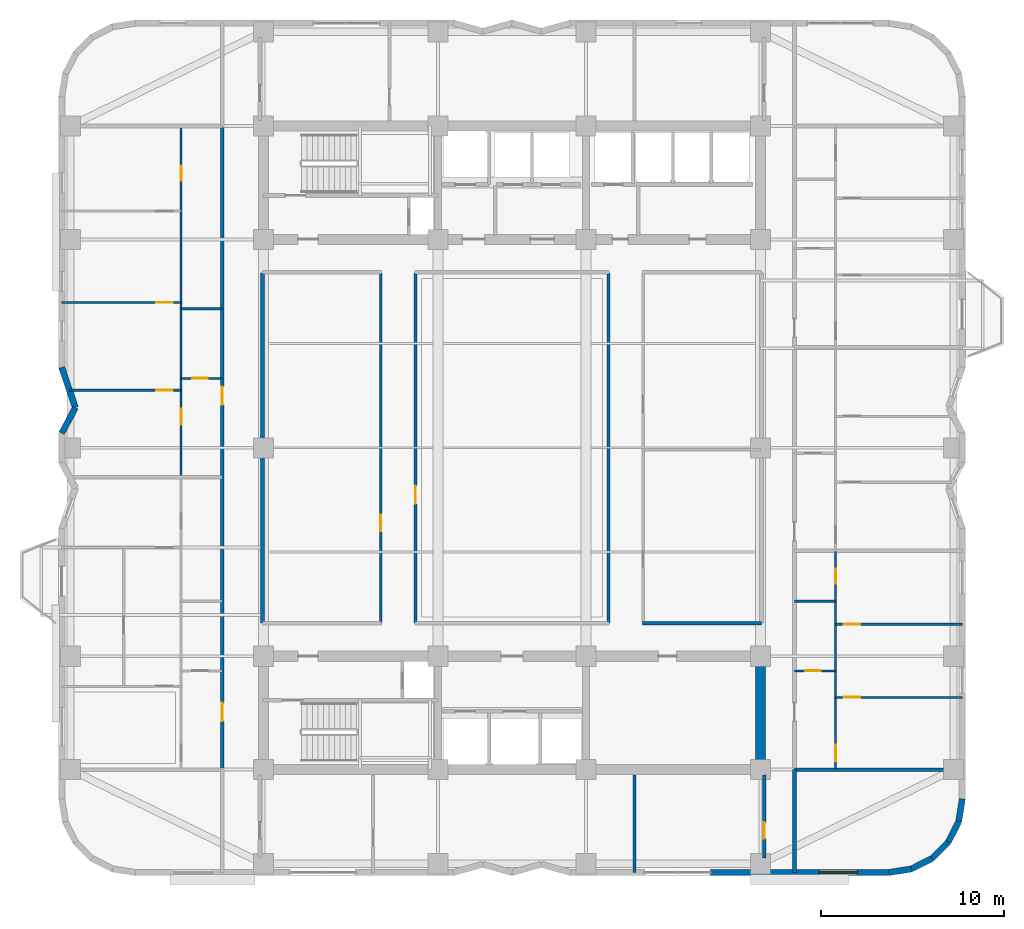
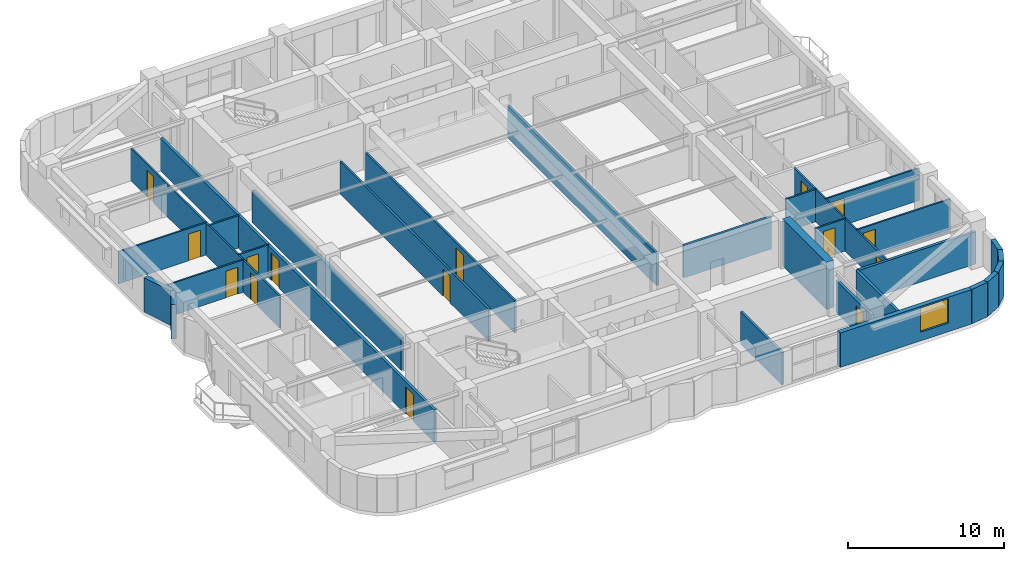
# One storey, part 9 of 15: 29 walls, 15 doors, 1 window, 16 openings.
"""IFC4 building model written with IfcOpenShell, lengths in metres."""

from ifc_helpers import new_model, si_unit, direction, frame, frame_2d, origin, place, context, subcontext, project, spatial, rectangle, extrude, material, layer, layer_set, type_object, element, fill, save


model = new_model("IFC4")

# Units and contexts
model_context = context("Model", 3, precision=1e-05, world=origin(), true_north=direction((0.0, 1.0)))
body_context = subcontext(model_context, "Body", "Model", "MODEL_VIEW")
ifc_project = project(units=[si_unit("LENGTHUNIT", "METRE"), si_unit("AREAUNIT", "SQUARE_METRE"), si_unit("VOLUMEUNIT", "CUBIC_METRE"), si_unit("PLANEANGLEUNIT", "RADIAN"), si_unit("MASSUNIT", "GRAM", prefix="KILO")], contexts=[model_context])

# Site, building, storey
site_placement = place(None, origin())
site = spatial("IfcSite", under=ifc_project, at=site_placement, CompositionType="ELEMENT")
building_placement = place(site_placement, origin())
building = spatial("IfcBuilding", under=site, at=building_placement, Name="Svetorya Sky Lyceum", CompositionType="ELEMENT")
storey_placement = place(building_placement, frame((0.0, 0.0, 117.89990234375)))
storey = spatial("IfcBuildingStorey", under=building, at=storey_placement, Name="L29", CompositionType="ELEMENT", Elevation=117.89990234375)

# Wall
ifc_material_1 = material(Name="Concrete C60/75", Category="concrete")
ifc_layer_1 = layer(ifc_material_1, 0.550048828125)
ifc_layer_set_1 = layer_set([ifc_layer_1], Name="Concrete C60/75")
wall_type_1 = type_object("IfcWallType", Name="WL-CORE-550", PredefinedType="SHEAR", material=ifc_layer_set_1)
wall_1_placement = place(storey_placement, frame((52.800048828125, 10.875, 0.0), z_axis=(0.0, 0.0, 1.0), x_axis=(0.0, 1.0, 0.0)))
element("IfcWall", 1, at=wall_1_placement, inside=storey, type_object=wall_type_1, Name="L29 SC East Core Shear Wall", PredefinedType="SHEAR", context=body_context, shape_type="SweptSolid", body=[
    extrude(rectangle(XDim=5.64990234375, YDim=0.550048828125, at=frame_2d((2.824951171875, 0.0))), origin(), (0.0, 0.0, 1.0), 3.7001953125),
])

# Wall, opening, window
ifc_material_2 = material(Name="Putilovo limestone rainscreen on autoclaved cellular masonry", Category="masonry")
ifc_layer_2 = layer(ifc_material_2, 0.340087890625)
ifc_layer_set_2 = layer_set([ifc_layer_2], Name="Putilovo limestone rainscreen on autoclaved cellular masonry")
wall_type_2 = type_object("IfcWallType", Name="WL-EXT-340", PredefinedType="SOLIDWALL", material=ifc_layer_set_2)
wall_2_placement = place(storey_placement, frame((50.050048828125, 4.969970703125, 0.0), z_axis=(0.0, 0.0, 1.0), x_axis=(1.0, 0.0, 0.0)))
wall_2 = element("IfcWall", 2, at=wall_2_placement, inside=storey, type_object=wall_type_2, Name="L29 Limestone Exterior Wall 11B", PredefinedType="SOLIDWALL", context=body_context, shape_type="SweptSolid", body=[
    extrude(rectangle(XDim=9.75, YDim=0.340087890625, at=frame_2d((4.875, 0.0))), origin(), (0.0, 0.0, 1.0), 2.7001953125),
])
opening_1_placement = place(wall_2_placement, frame((5.9375, 0.0, 0.679931640625)))
opening_1 = element("IfcOpeningElement", 3, at=opening_1_placement, cuts=wall_2, Name="Opening W-R0", PredefinedType="OPENING", context=body_context, shape_type="SweptSolid", body=[
    extrude(rectangle(XDim=2.10009765625, YDim=1.89990234375, at=frame_2d((1.050048828125, 0.949951171875))), frame((0.0, 0.179931640625, 0.0), z_axis=(0.0, -1.0, 0.0), x_axis=(1.0, 0.0, 0.0)), (0.0, 0.0, 1.0), 0.360107421875),
])
ifc_material_3 = material(Name="Thermally broken aluminium frame with triple low-E glazing", Category="aluminium")
window_type = type_object("IfcWindowType", Name="WN-RES-210", PartitioningType="TRIPLE_PANEL_VERTICAL", PredefinedType="WINDOW", material=ifc_material_3)
window_placement = place(opening_1_placement, origin())
window = element("IfcWindow", 4, at=window_placement, inside=storey, type_object=window_type, Name="L29 Facade Window W-R0.11B.1", OverallHeight=1.89990234375, OverallWidth=2.10009765625, PartitioningType="SINGLE_PANEL", PredefinedType="WINDOW", context=body_context, shape_type="SweptSolid", body=[
    extrude(rectangle(XDim=2.10009765625, YDim=1.89990234375, at=frame_2d((1.050048828125, 0.949951171875))), frame((0.0, 0.030029296875, 0.0), z_axis=(0.0, -1.0, 0.0), x_axis=(1.0, 0.0, 0.0)), (0.0, 0.0, 1.0), 0.06005859375),
])
fill(opening_1, window)

# Walls
wall_3_placement = place(storey_placement, frame((59.800048828125, 4.969970703125, 0.0), z_axis=(0.0, 0.0, 1.0), x_axis=(0.987685918112, 0.15644975923, 0.0)))
element("IfcWall", 5, at=wall_3_placement, inside=storey, type_object=wall_type_2, Name="L29 Limestone Exterior Wall 12M", PredefinedType="SOLIDWALL", context=body_context, shape_type="SweptSolid", body=[
    extrude(rectangle(XDim=1.260986328125, YDim=0.340087890625, at=frame_2d((0.63037109375, 0.0))), origin(), (0.0, 0.0, 1.0), 2.7001953125),
])
for number, where, z_axis, x_axis, name in (
    (6, (61.04541015625, 5.167236328125, 0.0), (0.0, 0.0, 1.0), (0.890953769915, 0.454094020963, 0.0), "L29 Limestone Exterior Wall 13M"),
    (7, (62.168701171875, 5.73974609375, 0.0), (0.0, 0.0, 1.0), (0.707203598708, 0.707009950407, 0.0), "L29 Limestone Exterior Wall 14M"),
):
    element("IfcWall", number, at=place(storey_placement, frame(where, z_axis=z_axis, x_axis=x_axis)), inside=storey, type_object=wall_type_2, Name=name, PredefinedType="SOLIDWALL", context=body_context, shape_type="SweptSolid", body=[
        extrude(rectangle(XDim=1.2607421875, YDim=0.340087890625, at=frame_2d((0.63037109375, 0.0))), origin(), (0.0, 0.0, 1.0), 2.7001953125),
    ])
for number, where, z_axis, x_axis, name in (
    (8, (63.060302734375, 6.631103515625, 0.0), (0.0, 0.0, 1.0), (0.454015689056, 0.890993689142, 0.0), "L29 Limestone Exterior Wall 15M"),
    (9, (63.6328125, 7.754638671875, 0.0), (0.0, 0.0, 1.0), (0.15644975923, 0.987685918112, 0.0), "L29 Limestone Exterior Wall 16M"),
):
    element("IfcWall", number, at=place(storey_placement, frame(where, z_axis=z_axis, x_axis=x_axis)), inside=storey, type_object=wall_type_2, Name=name, PredefinedType="SOLIDWALL", context=body_context, shape_type="SweptSolid", body=[
        extrude(rectangle(XDim=1.260986328125, YDim=0.340087890625, at=frame_2d((0.63037109375, 0.0))), origin(), (0.0, 0.0, 1.0), 2.7001953125),
    ])
wall_4_placement = place(storey_placement, frame((14.570068359375, 32.60009765625, 0.0), z_axis=(0.0, 0.0, 1.0), x_axis=(0.32264826586, -0.946518936175, 0.0)))
element("IfcWall", 10, at=wall_4_placement, inside=storey, type_object=wall_type_2, Name="L29 Limestone Exterior Wall 41M", PredefinedType="SOLIDWALL", context=body_context, shape_type="SweptSolid", body=[
    extrude(rectangle(XDim=2.324462890625, YDim=0.340087890625, at=frame_2d((1.162109375, 0.0))), origin(), (0.0, 0.0, 1.0), 2.7001953125),
])
wall_5_placement = place(storey_placement, frame((15.320068359375, 30.39990234375, 0.0), z_axis=(0.0, 0.0, 1.0), x_axis=(-0.472247007964, -0.881466257703, 0.0)))
element("IfcWall", 11, at=wall_5_placement, inside=storey, type_object=wall_type_2, Name="L29 Limestone Exterior Wall 42M", PredefinedType="SOLIDWALL", context=body_context, shape_type="SweptSolid", body=[
    extrude(rectangle(XDim=1.588134765625, YDim=0.340087890625, at=frame_2d((0.7939453125, 0.0))), origin(), (0.0, 0.0, 1.0), 2.7001953125),
])

# Wall, opening, door
ifc_material_4 = material(Name="Twin-stud galvanized framing with double fireboard", Category="gypsum")
ifc_layer_3 = layer(ifc_material_4, 0.1201171875)
ifc_layer_set_3 = layer_set([ifc_layer_3], Name="Twin-stud galvanized framing with double fireboard")
wall_type_3 = type_object("IfcWallType", Name="WL-PART-120", PredefinedType="PARTITIONING", material=ifc_layer_set_3)
wall_6_placement = place(storey_placement, frame((21.10009765625, 32.0, 0.0), z_axis=(0.0, 0.0, 1.0), x_axis=(1.0, 0.0, 0.0)))
wall_6 = element("IfcWall", 12, at=wall_6_placement, inside=storey, type_object=wall_type_3, Name="L29 Interior Partition W2-WH1", PredefinedType="PARTITIONING", context=body_context, shape_type="SweptSolid", body=[
    extrude(rectangle(XDim=2.25, YDim=0.1201171875, at=frame_2d((1.125, 0.0))), origin(), (0.0, 0.0, 1.0), 2.530029296875),
])
opening_2_placement = place(wall_6_placement, frame((0.60009765625, 0.0, 0.0)))
opening_2 = element("IfcOpeningElement", 13, at=opening_2_placement, cuts=wall_6, Name="Opening D-BT1", PredefinedType="OPENING", context=body_context, shape_type="SweptSolid", body=[
    extrude(rectangle(XDim=0.85009765625, YDim=2.10009765625, at=frame_2d((0.425048828125, 1.050048828125))), frame((0.0, 0.070068359375, 0.0), z_axis=(0.0, -1.0, 0.0), x_axis=(1.0, 0.0, 0.0)), (0.0, 0.0, 1.0), 0.14013671875),
])
ifc_material_5 = material(Name="Moisture-resistant laminate bathroom door")
door_type_1 = type_object("IfcDoorType", Name="DR-WET-850", OperationType="SINGLE_SWING_LEFT", PredefinedType="DOOR", material=ifc_material_5)
door_1_placement = place(opening_2_placement, origin())
door_1 = element("IfcDoor", 14, at=door_1_placement, inside=storey, type_object=door_type_1, Name="Apartment W2 Bathroom Door", OperationType="SINGLE_SWING_RIGHT", OverallHeight=2.10009765625, OverallWidth=0.85009765625, PredefinedType="DOOR", context=body_context, shape_type="SweptSolid", body=[
    extrude(rectangle(XDim=0.85009765625, YDim=2.10009765625, at=frame_2d((0.425048828125, 1.050048828125))), frame((0.0, 0.02490234375, 0.0), z_axis=(0.0, -1.0, 0.0), x_axis=(1.0, 0.0, 0.0)), (0.0, 0.0, 1.0), 0.050048828125),
])
fill(opening_2, door_1)

wall_7_placement = place(storey_placement, frame((14.99609375, 31.35009765625, 0.0), z_axis=(0.0, 0.0, 1.0), x_axis=(1.0, 0.0, 0.0)))
wall_7 = element("IfcWall", 15, at=wall_7_placement, inside=storey, type_object=wall_type_3, Name="L29 Interior Partition W2-WL1", PredefinedType="PARTITIONING", context=body_context, shape_type="SweptSolid", body=[
    extrude(rectangle(XDim=6.10400390625, YDim=0.1201171875, at=frame_2d((3.052001953125, 0.0))), origin(), (0.0, 0.0, 1.0), 2.530029296875),
])
opening_3_placement = place(wall_7_placement, frame((4.75390625, 0.0, 0.0)))
opening_3 = element("IfcOpeningElement", 16, at=opening_3_placement, cuts=wall_7, Name="Opening D-RM1", PredefinedType="OPENING", context=body_context, shape_type="SweptSolid", body=[
    extrude(rectangle(XDim=0.89990234375, YDim=2.10009765625, at=frame_2d((0.449951171875, 1.050048828125))), frame((0.0, 0.070068359375, 0.0), z_axis=(0.0, -1.0, 0.0), x_axis=(1.0, 0.0, 0.0)), (0.0, 0.0, 1.0), 0.14013671875),
])
ifc_material_6 = material(Name="Lacquered birch veneer internal door")
door_type_2 = type_object("IfcDoorType", Name="DR-INT-900", OperationType="SINGLE_SWING_LEFT", PredefinedType="DOOR", material=ifc_material_6)
door_2_placement = place(opening_3_placement, origin())
door_2 = element("IfcDoor", 17, at=door_2_placement, inside=storey, type_object=door_type_2, Name="Apartment W2 Master Bedroom Door", OperationType="SINGLE_SWING_RIGHT", OverallHeight=2.10009765625, OverallWidth=0.89990234375, PredefinedType="DOOR", context=body_context, shape_type="SweptSolid", body=[
    extrude(rectangle(XDim=0.89990234375, YDim=2.10009765625, at=frame_2d((0.449951171875, 1.050048828125))), frame((0.0, 0.02490234375, 0.0), z_axis=(0.0, -1.0, 0.0), x_axis=(1.0, 0.0, 0.0)), (0.0, 0.0, 1.0), 0.050048828125),
])
fill(opening_3, door_2)

wall_8_placement = place(storey_placement, frame((14.570068359375, 36.14990234375, 0.0), z_axis=(0.0, 0.0, 1.0), x_axis=(1.0, 0.0, 0.0)))
wall_8 = element("IfcWall", 18, at=wall_8_placement, inside=storey, type_object=wall_type_3, Name="L29 Interior Partition W2-WL2", PredefinedType="PARTITIONING", context=body_context, shape_type="SweptSolid", body=[
    extrude(rectangle(XDim=6.530029296875, YDim=0.1201171875, at=frame_2d((3.26513671875, 0.0))), origin(), (0.0, 0.0, 1.0), 2.530029296875),
])
opening_4_placement = place(wall_8_placement, frame((5.179931640625, 0.0, 0.0)))
opening_4 = element("IfcOpeningElement", 19, at=opening_4_placement, cuts=wall_8, Name="Opening D-RM1", PredefinedType="OPENING", context=body_context, shape_type="SweptSolid", body=[
    extrude(rectangle(XDim=0.89990234375, YDim=2.10009765625, at=frame_2d((0.449951171875, 1.050048828125))), frame((0.0, 0.070068359375, 0.0), z_axis=(0.0, -1.0, 0.0), x_axis=(1.0, 0.0, 0.0)), (0.0, 0.0, 1.0), 0.14013671875),
])
door_3_placement = place(opening_4_placement, origin())
door_3 = element("IfcDoor", 20, at=door_3_placement, inside=storey, type_object=door_type_2, Name="Apartment W2 Bedroom 2 Door", OperationType="SINGLE_SWING_LEFT", OverallHeight=2.10009765625, OverallWidth=0.89990234375, PredefinedType="DOOR", context=body_context, shape_type="SweptSolid", body=[
    extrude(rectangle(XDim=0.89990234375, YDim=2.10009765625, at=frame_2d((0.449951171875, 1.050048828125))), frame((0.0, 0.02490234375, 0.0), z_axis=(0.0, -1.0, 0.0), x_axis=(1.0, 0.0, 0.0)), (0.0, 0.0, 1.0), 0.050048828125),
])
fill(opening_4, door_3)

# Wall, openings, doors
wall_9_placement = place(storey_placement, frame((21.10009765625, 26.639892578125, 0.0), z_axis=(0.0, 0.0, 1.0), x_axis=(0.0, 1.0, 0.0)))
wall_9 = element("IfcWall", 21, at=wall_9_placement, inside=storey, type_object=wall_type_3, Name="L29 Interior Partition W2-WV", PredefinedType="PARTITIONING", context=body_context, shape_type="SweptSolid", body=[
    extrude(rectangle(XDim=19.1201171875, YDim=0.1201171875, at=frame_2d((9.56005859375, 0.0))), origin(), (0.0, 0.0, 1.0), 2.530029296875),
])
opening_5_placement = place(wall_9_placement, frame((2.81005859375, 0.0, 0.0)))
opening_5 = element("IfcOpeningElement", 22, at=opening_5_placement, cuts=wall_9, Name="Opening D-RM1", PredefinedType="OPENING", context=body_context, shape_type="SweptSolid", body=[
    extrude(rectangle(XDim=0.89990234375, YDim=2.10009765625, at=frame_2d((0.449951171875, 1.050048828125))), frame((0.0, 0.070068359375, 0.0), z_axis=(0.0, -1.0, 0.0), x_axis=(1.0, 0.0, 0.0)), (0.0, 0.0, 1.0), 0.14013671875),
])
opening_6_placement = place(wall_9_placement, frame((16.179931640625, 0.0, 0.0)))
opening_6 = element("IfcOpeningElement", 23, at=opening_6_placement, cuts=wall_9, Name="Opening D-BT2", PredefinedType="OPENING", context=body_context, shape_type="SweptSolid", body=[
    extrude(rectangle(XDim=0.820068359375, YDim=2.080078125, at=frame_2d((0.41015625, 1.0400390625))), frame((0.0, 0.070068359375, 0.0), z_axis=(0.0, -1.0, 0.0), x_axis=(1.0, 0.0, 0.0)), (0.0, 0.0, 1.0), 0.14013671875),
])
door_4_placement = place(opening_5_placement, origin())
door_4 = element("IfcDoor", 24, at=door_4_placement, inside=storey, type_object=door_type_2, Name="Apartment W2 Living Door", OperationType="SINGLE_SWING_LEFT", OverallHeight=2.10009765625, OverallWidth=0.89990234375, PredefinedType="DOOR", context=body_context, shape_type="SweptSolid", body=[
    extrude(rectangle(XDim=0.89990234375, YDim=2.10009765625, at=frame_2d((0.449951171875, 1.050048828125))), frame((0.0, 0.02490234375, 0.0), z_axis=(0.0, -1.0, 0.0), x_axis=(1.0, 0.0, 0.0)), (0.0, 0.0, 1.0), 0.050048828125),
])
fill(opening_5, door_4)
ifc_material_7 = material(Name="Compact moisture-resistant laminate closet door")
door_type_3 = type_object("IfcDoorType", Name="DR-WET-820", OperationType="SINGLE_SWING_LEFT", PredefinedType="DOOR", material=ifc_material_7)
door_5_placement = place(opening_6_placement, origin())
door_5 = element("IfcDoor", 25, at=door_5_placement, inside=storey, type_object=door_type_3, Name="Apartment W2 Study Door", OperationType="SINGLE_SWING_RIGHT", OverallHeight=2.080078125, OverallWidth=0.820068359375, PredefinedType="DOOR", context=body_context, shape_type="SweptSolid", body=[
    extrude(rectangle(XDim=0.820068359375, YDim=2.080078125, at=frame_2d((0.41015625, 1.0400390625))), frame((0.0, 0.02490234375, 0.0), z_axis=(0.0, -1.0, 0.0), x_axis=(1.0, 0.0, 0.0)), (0.0, 0.0, 1.0), 0.050048828125),
])
fill(opening_6, door_5)

# Wall, opening, door
wall_10_placement = place(storey_placement, frame((54.64990234375, 16.0, 0.0), z_axis=(0.0, 0.0, 1.0), x_axis=(1.0, 0.0, 0.0)))
wall_10 = element("IfcWall", 26, at=wall_10_placement, inside=storey, type_object=wall_type_3, Name="L29 Interior Partition E1-WH1", PredefinedType="PARTITIONING", context=body_context, shape_type="SweptSolid", body=[
    extrude(rectangle(XDim=2.25, YDim=0.1201171875, at=frame_2d((1.125, 0.0))), origin(), (0.0, 0.0, 1.0), 2.530029296875),
])
opening_7_placement = place(wall_10_placement, frame((0.60009765625, 0.0, 0.0)))
opening_7 = element("IfcOpeningElement", 27, at=opening_7_placement, cuts=wall_10, Name="Opening D-BT1", PredefinedType="OPENING", context=body_context, shape_type="SweptSolid", body=[
    extrude(rectangle(XDim=0.85009765625, YDim=2.10009765625, at=frame_2d((0.425048828125, 1.050048828125))), frame((0.0, 0.070068359375, 0.0), z_axis=(0.0, -1.0, 0.0), x_axis=(1.0, 0.0, 0.0)), (0.0, 0.0, 1.0), 0.14013671875),
])
door_6_placement = place(opening_7_placement, origin())
door_6 = element("IfcDoor", 28, at=door_6_placement, inside=storey, type_object=door_type_1, Name="Apartment E1 Bathroom Door", OperationType="SINGLE_SWING_RIGHT", OverallHeight=2.10009765625, OverallWidth=0.85009765625, PredefinedType="DOOR", context=body_context, shape_type="SweptSolid", body=[
    extrude(rectangle(XDim=0.85009765625, YDim=2.10009765625, at=frame_2d((0.425048828125, 1.050048828125))), frame((0.0, 0.02490234375, 0.0), z_axis=(0.0, -1.0, 0.0), x_axis=(1.0, 0.0, 0.0)), (0.0, 0.0, 1.0), 0.050048828125),
])
fill(opening_7, door_6)

wall_11_placement = place(storey_placement, frame((56.89990234375, 14.550048828125, 0.0), z_axis=(0.0, 0.0, 1.0), x_axis=(1.0, 0.0, 0.0)))
wall_11 = element("IfcWall", 29, at=wall_11_placement, inside=storey, type_object=wall_type_3, Name="L29 Interior Partition E1-WL1", PredefinedType="PARTITIONING", context=body_context, shape_type="SweptSolid", body=[
    extrude(rectangle(XDim=6.93017578125, YDim=0.1201171875, at=frame_2d((3.465087890625, 0.0))), origin(), (0.0, 0.0, 1.0), 2.530029296875),
])
opening_8_placement = place(wall_11_placement, frame((0.449951171875, 0.0, 0.0)))
opening_8 = element("IfcOpeningElement", 30, at=opening_8_placement, cuts=wall_11, Name="Opening D-RM1", PredefinedType="OPENING", context=body_context, shape_type="SweptSolid", body=[
    extrude(rectangle(XDim=0.89990234375, YDim=2.10009765625, at=frame_2d((0.449951171875, 1.050048828125))), frame((0.0, 0.070068359375, 0.0), z_axis=(0.0, -1.0, 0.0), x_axis=(1.0, 0.0, 0.0)), (0.0, 0.0, 1.0), 0.14013671875),
])
door_7_placement = place(opening_8_placement, origin())
door_7 = element("IfcDoor", 31, at=door_7_placement, inside=storey, type_object=door_type_2, Name="Apartment E1 Master Bedroom Door", OperationType="SINGLE_SWING_RIGHT", OverallHeight=2.10009765625, OverallWidth=0.89990234375, PredefinedType="DOOR", context=body_context, shape_type="SweptSolid", body=[
    extrude(rectangle(XDim=0.89990234375, YDim=2.10009765625, at=frame_2d((0.449951171875, 1.050048828125))), frame((0.0, 0.02490234375, 0.0), z_axis=(0.0, -1.0, 0.0), x_axis=(1.0, 0.0, 0.0)), (0.0, 0.0, 1.0), 0.050048828125),
])
fill(opening_8, door_7)

wall_12_placement = place(storey_placement, frame((56.89990234375, 18.550048828125, 0.0), z_axis=(0.0, 0.0, 1.0), x_axis=(1.0, 0.0, 0.0)))
wall_12 = element("IfcWall", 32, at=wall_12_placement, inside=storey, type_object=wall_type_3, Name="L29 Interior Partition E1-WL2", PredefinedType="PARTITIONING", context=body_context, shape_type="SweptSolid", body=[
    extrude(rectangle(XDim=6.93017578125, YDim=0.1201171875, at=frame_2d((3.465087890625, 0.0))), origin(), (0.0, 0.0, 1.0), 2.530029296875),
])
opening_9_placement = place(wall_12_placement, frame((0.449951171875, 0.0, 0.0)))
opening_9 = element("IfcOpeningElement", 33, at=opening_9_placement, cuts=wall_12, Name="Opening D-RM1", PredefinedType="OPENING", context=body_context, shape_type="SweptSolid", body=[
    extrude(rectangle(XDim=0.89990234375, YDim=2.10009765625, at=frame_2d((0.449951171875, 1.050048828125))), frame((0.0, 0.070068359375, 0.0), z_axis=(0.0, -1.0, 0.0), x_axis=(1.0, 0.0, 0.0)), (0.0, 0.0, 1.0), 0.14013671875),
])
door_8_placement = place(opening_9_placement, origin())
door_8 = element("IfcDoor", 34, at=door_8_placement, inside=storey, type_object=door_type_2, Name="Apartment E1 Bedroom 2 Door", OperationType="SINGLE_SWING_LEFT", OverallHeight=2.10009765625, OverallWidth=0.89990234375, PredefinedType="DOOR", context=body_context, shape_type="SweptSolid", body=[
    extrude(rectangle(XDim=0.89990234375, YDim=2.10009765625, at=frame_2d((0.449951171875, 1.050048828125))), frame((0.0, 0.02490234375, 0.0), z_axis=(0.0, -1.0, 0.0), x_axis=(1.0, 0.0, 0.0)), (0.0, 0.0, 1.0), 0.050048828125),
])
fill(opening_9, door_8)

# Wall, openings, doors
wall_13_placement = place(storey_placement, frame((56.89990234375, 10.639892578125, 0.0), z_axis=(0.0, 0.0, 1.0), x_axis=(0.0, 1.0, 0.0)))
wall_13 = element("IfcWall", 35, at=wall_13_placement, inside=storey, type_object=wall_type_3, Name="L29 Interior Partition E1-WV", PredefinedType="PARTITIONING", context=body_context, shape_type="SweptSolid", body=[
    extrude(rectangle(XDim=11.88818359375, YDim=0.1201171875, at=frame_2d((5.944091796875, 0.0))), origin(), (0.0, 0.0, 1.0), 2.530029296875),
])
opening_10_placement = place(wall_13_placement, frame((0.409912109375, 0.0, 0.0)))
opening_10 = element("IfcOpeningElement", 36, at=opening_10_placement, cuts=wall_13, Name="Opening D-RM1", PredefinedType="OPENING", context=body_context, shape_type="SweptSolid", body=[
    extrude(rectangle(XDim=0.89990234375, YDim=2.10009765625, at=frame_2d((0.449951171875, 1.050048828125))), frame((0.0, 0.070068359375, 0.0), z_axis=(0.0, -1.0, 0.0), x_axis=(1.0, 0.0, 0.0)), (0.0, 0.0, 1.0), 0.14013671875),
])
opening_11_placement = place(wall_13_placement, frame((10.118896484375, 0.0, 0.0)))
opening_11 = element("IfcOpeningElement", 37, at=opening_11_placement, cuts=wall_13, Name="Opening D-BT2", PredefinedType="OPENING", context=body_context, shape_type="SweptSolid", body=[
    extrude(rectangle(XDim=0.820068359375, YDim=2.080078125, at=frame_2d((0.41015625, 1.0400390625))), frame((0.0, 0.070068359375, 0.0), z_axis=(0.0, -1.0, 0.0), x_axis=(1.0, 0.0, 0.0)), (0.0, 0.0, 1.0), 0.14013671875),
])
door_9_placement = place(opening_10_placement, origin())
door_9 = element("IfcDoor", 38, at=door_9_placement, inside=storey, type_object=door_type_2, Name="Apartment E1 Living Door", OperationType="SINGLE_SWING_LEFT", OverallHeight=2.10009765625, OverallWidth=0.89990234375, PredefinedType="DOOR", context=body_context, shape_type="SweptSolid", body=[
    extrude(rectangle(XDim=0.89990234375, YDim=2.10009765625, at=frame_2d((0.449951171875, 1.050048828125))), frame((0.0, 0.02490234375, 0.0), z_axis=(0.0, -1.0, 0.0), x_axis=(1.0, 0.0, 0.0)), (0.0, 0.0, 1.0), 0.050048828125),
])
fill(opening_10, door_9)
door_10_placement = place(opening_11_placement, origin())
door_10 = element("IfcDoor", 39, at=door_10_placement, inside=storey, type_object=door_type_3, Name="Apartment E1 Study Door", OperationType="SINGLE_SWING_RIGHT", OverallHeight=2.080078125, OverallWidth=0.820068359375, PredefinedType="DOOR", context=body_context, shape_type="SweptSolid", body=[
    extrude(rectangle(XDim=0.820068359375, YDim=2.080078125, at=frame_2d((0.41015625, 1.0400390625))), frame((0.0, 0.02490234375, 0.0), z_axis=(0.0, -1.0, 0.0), x_axis=(1.0, 0.0, 0.0)), (0.0, 0.0, 1.0), 0.050048828125),
])
fill(opening_11, door_10)

# Walls
ifc_material_8 = material(Name="Twin-stud galvanized framing with acoustic board", Category="gypsum")
ifc_layer_4 = layer(ifc_material_8, 0.135009765625)
ifc_layer_set_4 = layer_set([ifc_layer_4], Name="Twin-stud galvanized framing with acoustic board")
wall_type_4 = type_object("IfcWallType", Name="WL-PART-135", PredefinedType="PARTITIONING", material=ifc_layer_set_4)
for number, where, z_axis, x_axis, name in (
    (40, (21.10009765625, 35.800048828125, 0.0), (0.0, 0.0, 1.0), (1.0, 0.0, 0.0), "L29 Interior Partition W2-WH2"),
    (41, (54.64990234375, 19.800048828125, 0.0), (0.0, 0.0, 1.0), (1.0, 0.0, 0.0), "L29 Interior Partition E1-WH2"),
):
    element("IfcWall", number, at=place(storey_placement, frame(where, z_axis=z_axis, x_axis=x_axis)), inside=storey, type_object=wall_type_4, Name=name, PredefinedType="PARTITIONING", context=body_context, shape_type="SweptSolid", body=[
        extrude(rectangle(XDim=2.25, YDim=0.135009765625, at=frame_2d((1.125, 0.0))), origin(), (0.0, 0.0, 1.0), 2.530029296875),
    ])

# Wall, opening, door
ifc_material_9 = material(Name="Autoclaved cellular masonry blockwork with acoustic render", Category="masonry")
ifc_layer_5 = layer(ifc_material_9, 0.14990234375)
ifc_layer_set_5 = layer_set([ifc_layer_5], Name="Autoclaved cellular masonry blockwork with acoustic render")
wall_type_5 = type_object("IfcWallType", Name="WL-PART-150", PredefinedType="PARTITIONING", material=ifc_layer_set_5)
wall_14_placement = place(storey_placement, frame((32.02001953125, 18.6298828125, 0.0), z_axis=(0.0, 0.0, 1.0), x_axis=(0.0, 1.0, 0.0)))
wall_14 = element("IfcWall", 42, at=wall_14_placement, inside=storey, type_object=wall_type_5, Name="L29 Interior Partition ISL-WW", PredefinedType="PARTITIONING", context=body_context, shape_type="SweptSolid", body=[
    extrude(rectangle(XDim=19.14013671875, YDim=0.14990234375, at=frame_2d((9.570068359375, 0.0))), origin(), (0.0, 0.0, 1.0), 2.530029296875),
])
opening_12_placement = place(wall_14_placement, frame((5.0, 0.0, 0.0)))
opening_12 = element("IfcOpeningElement", 43, at=opening_12_placement, cuts=wall_14, Name="Opening D-RM1", PredefinedType="OPENING", context=body_context, shape_type="SweptSolid", body=[
    extrude(rectangle(XDim=0.89990234375, YDim=2.10009765625, at=frame_2d((0.449951171875, 1.050048828125))), frame((0.0, 0.0849609375, 0.0), z_axis=(0.0, -1.0, 0.0), x_axis=(1.0, 0.0, 0.0)), (0.0, 0.0, 1.0), 0.169921875),
])
door_11_placement = place(opening_12_placement, origin())
door_11 = element("IfcDoor", 44, at=door_11_placement, inside=storey, type_object=door_type_2, Name="L29 Atelier Door", OperationType="SINGLE_SWING_RIGHT", OverallHeight=2.10009765625, OverallWidth=0.89990234375, PredefinedType="DOOR", context=body_context, shape_type="SweptSolid", body=[
    extrude(rectangle(XDim=0.89990234375, YDim=2.10009765625, at=frame_2d((0.449951171875, 1.050048828125))), frame((0.0, 0.02490234375, 0.0), z_axis=(0.0, -1.0, 0.0), x_axis=(1.0, 0.0, 0.0)), (0.0, 0.0, 1.0), 0.050048828125),
])
fill(opening_12, door_11)

wall_15_placement = place(storey_placement, frame((33.919921875, 18.6298828125, 0.0), z_axis=(0.0, 0.0, 1.0), x_axis=(0.0, 1.0, 0.0)))
wall_15 = element("IfcWall", 45, at=wall_15_placement, inside=storey, type_object=wall_type_5, Name="L29 Interior Partition ISL-WE", PredefinedType="PARTITIONING", context=body_context, shape_type="SweptSolid", body=[
    extrude(rectangle(XDim=19.14013671875, YDim=0.14990234375, at=frame_2d((9.570068359375, 0.0))), origin(), (0.0, 0.0, 1.0), 2.530029296875),
])
opening_13_placement = place(wall_15_placement, frame((6.5, 0.0, 0.0)))
opening_13 = element("IfcOpeningElement", 46, at=opening_13_placement, cuts=wall_15, Name="Opening D-RM2", PredefinedType="OPENING", context=body_context, shape_type="SweptSolid", body=[
    extrude(rectangle(XDim=1.0, YDim=2.14990234375, at=frame_2d((0.5, 1.074951171875))), frame((0.0, 0.0849609375, 0.0), z_axis=(0.0, -1.0, 0.0), x_axis=(1.0, 0.0, 0.0)), (0.0, 0.0, 1.0), 0.169921875),
])
ifc_material_10 = material(Name="Solid-core oak acoustic room door")
door_type_4 = type_object("IfcDoorType", Name="DR-INT-1000", OperationType="SINGLE_SWING_LEFT", PredefinedType="DOOR", material=ifc_material_10)
door_12_placement = place(opening_13_placement, origin())
door_12 = element("IfcDoor", 47, at=door_12_placement, inside=storey, type_object=door_type_4, Name="L29 Wellness Door", OperationType="SINGLE_SWING_LEFT", OverallHeight=2.14990234375, OverallWidth=1.0, PredefinedType="DOOR", context=body_context, shape_type="SweptSolid", body=[
    extrude(rectangle(XDim=1.0, YDim=2.14990234375, at=frame_2d((0.5, 1.074951171875))), frame((0.0, 0.02490234375, 0.0), z_axis=(0.0, -1.0, 0.0), x_axis=(1.0, 0.0, 0.0)), (0.0, 0.0, 1.0), 0.050048828125),
])
fill(opening_13, door_12)

# Walls
ifc_material_11 = material(Name="Autoclaved cellular masonry blockwork with fire render", Category="masonry")
ifc_layer_6 = layer(ifc_material_11, 0.175048828125)
ifc_layer_set_6 = layer_set([ifc_layer_6], Name="Autoclaved cellular masonry blockwork with fire render")
wall_type_6 = type_object("IfcWallType", Name="WL-PART-175", PredefinedType="PARTITIONING", material=ifc_layer_set_6)
wall_16_placement = place(storey_placement, frame((46.35009765625, 18.60009765625, 0.0), z_axis=(0.0, 0.0, 1.0), x_axis=(1.0, 0.0, 0.0)))
element("IfcWall", 48, at=wall_16_placement, inside=storey, type_object=wall_type_6, Name="L29 Interior Partition RL-CS-E", PredefinedType="PARTITIONING", context=body_context, shape_type="SweptSolid", body=[
    extrude(rectangle(XDim=6.5, YDim=0.175048828125, at=frame_2d((3.25, 0.0))), origin(), (0.0, 0.0, 1.0), 2.530029296875),
])
wall_17_placement = place(storey_placement, frame((44.47998046875, 18.6298828125, 0.0), z_axis=(0.0, 0.0, 1.0), x_axis=(0.0, 1.0, 0.0)))
element("IfcWall", 49, at=wall_17_placement, inside=storey, type_object=wall_type_6, Name="L29 Interior Partition ISL-EW", PredefinedType="PARTITIONING", context=body_context, shape_type="SweptSolid", body=[
    extrude(rectangle(XDim=19.14013671875, YDim=0.175048828125, at=frame_2d((9.570068359375, 0.0))), origin(), (0.0, 0.0, 1.0), 2.530029296875),
])
wall_18_placement = place(storey_placement, frame((45.89990234375, 4.969970703125, 0.0), z_axis=(0.0, 0.0, 1.0), x_axis=(0.0, 1.0, 0.0)))
element("IfcWall", 50, at=wall_18_placement, inside=storey, type_object=wall_type_6, Name="L29 Interior Partition S-D2", PredefinedType="PARTITIONING", context=body_context, shape_type="SweptSolid", body=[
    extrude(rectangle(XDim=5.330078125, YDim=0.175048828125, at=frame_2d((2.6650390625, 0.0))), origin(), (0.0, 0.0, 1.0), 2.530029296875),
])
ifc_material_12 = material(Name="Autoclaved cellular masonry blockwork with gypsum plaster", Category="masonry")
ifc_layer_7 = layer(ifc_material_12, 0.199951171875)
ifc_layer_set_7 = layer_set([ifc_layer_7], Name="Autoclaved cellular masonry blockwork with gypsum plaster")
wall_type_7 = type_object("IfcWallType", Name="WL-PART-200", PredefinedType="PARTITIONING", material=ifc_layer_set_7)
wall_19_placement = place(storey_placement, frame((25.550048828125, 18.6298828125, 0.0), z_axis=(0.0, 0.0, 1.0), x_axis=(0.0, 1.0, 0.0)))
element("IfcWall", 51, at=wall_19_placement, inside=storey, type_object=wall_type_7, Name="L29 Interior Partition W-CEN-SEP", PredefinedType="PARTITIONING", context=body_context, shape_type="SweptSolid", body=[
    extrude(rectangle(XDim=19.14013671875, YDim=0.199951171875, at=frame_2d((9.570068359375, 0.0))), origin(), (0.0, 0.0, 1.0), 2.530029296875),
])

# Wall, openings, doors
wall_20_placement = place(storey_placement, frame((23.35009765625, 10.60009765625, 0.0), z_axis=(0.0, 0.0, 1.0), x_axis=(0.0, 1.0, 0.0)))
wall_20 = element("IfcWall", 52, at=wall_20_placement, inside=storey, type_object=wall_type_7, Name="L29 Interior Partition W-CORRW", PredefinedType="PARTITIONING", context=body_context, shape_type="SweptSolid", body=[
    extrude(rectangle(XDim=35.199951171875, YDim=0.199951171875, at=frame_2d((17.60009765625, 0.0))), origin(), (0.0, 0.0, 1.0), 2.530029296875),
])
opening_14_placement = place(wall_20_placement, frame((2.64990234375, 0.0, 0.0)))
opening_14 = element("IfcOpeningElement", 53, at=opening_14_placement, cuts=wall_20, Name="Opening D-APT1", PredefinedType="OPENING", context=body_context, shape_type="SweptSolid", body=[
    extrude(rectangle(XDim=1.0, YDim=2.14990234375, at=frame_2d((0.5, 1.074951171875))), frame((0.0, 0.10986328125, 0.0), z_axis=(0.0, -1.0, 0.0), x_axis=(1.0, 0.0, 0.0)), (0.0, 0.0, 1.0), 0.219970703125),
])
opening_15_placement = place(wall_20_placement, frame((19.949951171875, 0.0, 0.0)))
opening_15 = element("IfcOpeningElement", 54, at=opening_15_placement, cuts=wall_20, Name="Opening D-APT1", PredefinedType="OPENING", context=body_context, shape_type="SweptSolid", body=[
    extrude(rectangle(XDim=1.0, YDim=2.14990234375, at=frame_2d((0.5, 1.074951171875))), frame((0.0, 0.10986328125, 0.0), z_axis=(0.0, -1.0, 0.0), x_axis=(1.0, 0.0, 0.0)), (0.0, 0.0, 1.0), 0.219970703125),
])
ifc_material_13 = material(Name="Insulated oak-veneered apartment entrance door")
door_type_5 = type_object("IfcDoorType", Name="DR-APT-1000", OperationType="SINGLE_SWING_LEFT", PredefinedType="DOOR", material=ifc_material_13)
door_13_placement = place(opening_14_placement, origin())
door_13 = element("IfcDoor", 55, at=door_13_placement, inside=storey, type_object=door_type_5, Name="L29 Apartment W1 Entrance Door", OperationType="SINGLE_SWING_LEFT", OverallHeight=2.14990234375, OverallWidth=1.0, PredefinedType="DOOR", context=body_context, shape_type="SweptSolid", body=[
    extrude(rectangle(XDim=1.0, YDim=2.14990234375, at=frame_2d((0.5, 1.074951171875))), frame((0.0, 0.02490234375, 0.0), z_axis=(0.0, -1.0, 0.0), x_axis=(1.0, 0.0, 0.0)), (0.0, 0.0, 1.0), 0.050048828125),
])
fill(opening_14, door_13)
door_14_placement = place(opening_15_placement, origin())
door_14 = element("IfcDoor", 56, at=door_14_placement, inside=storey, type_object=door_type_5, Name="L29 Apartment W2 Entrance Door", OperationType="SINGLE_SWING_RIGHT", OverallHeight=2.14990234375, OverallWidth=1.0, PredefinedType="DOOR", context=body_context, shape_type="SweptSolid", body=[
    extrude(rectangle(XDim=1.0, YDim=2.14990234375, at=frame_2d((0.5, 1.074951171875))), frame((0.0, 0.02490234375, 0.0), z_axis=(0.0, -1.0, 0.0), x_axis=(1.0, 0.0, 0.0)), (0.0, 0.0, 1.0), 0.050048828125),
])
fill(opening_15, door_14)

# Walls
wall_21_placement = place(storey_placement, frame((54.64990234375, 10.60009765625, 0.0), z_axis=(0.0, 0.0, 1.0), x_axis=(1.0, 0.0, 0.0)))
element("IfcWall", 57, at=wall_21_placement, inside=storey, type_object=wall_type_7, Name="L29 Interior Partition E-CAP-S", PredefinedType="PARTITIONING", context=body_context, shape_type="SweptSolid", body=[
    extrude(rectangle(XDim=8.760009765625, YDim=0.199951171875, at=frame_2d((4.3798828125, 0.0))), origin(), (0.0, 0.0, 1.0), 2.530029296875),
])
wall_22_placement = place(storey_placement, frame((54.64990234375, 4.969970703125, 0.0), z_axis=(0.0, 0.0, 1.0), x_axis=(0.0, 1.0, 0.0)))
element("IfcWall", 58, at=wall_22_placement, inside=storey, type_object=wall_type_7, Name="L29 Interior Partition EC-SE-END", PredefinedType="PARTITIONING", context=body_context, shape_type="SweptSolid", body=[
    extrude(rectangle(XDim=5.630126953125, YDim=0.199951171875, at=frame_2d((2.81494140625, 0.0))), origin(), (0.0, 0.0, 1.0), 2.530029296875),
])

# Wall, opening, door
wall_23_placement = place(storey_placement, frame((53.0, 5.77001953125, 0.0), z_axis=(0.0, 0.0, 1.0), x_axis=(0.0, 1.0, 0.0)))
wall_23 = element("IfcWall", 59, at=wall_23_placement, inside=storey, type_object=wall_type_7, Name="L29 Interior Partition S-EE", PredefinedType="PARTITIONING", context=body_context, shape_type="SweptSolid", body=[
    extrude(rectangle(XDim=4.530029296875, YDim=0.199951171875, at=frame_2d((2.26513671875, 0.0))), origin(), (0.0, 0.0, 1.0), 2.530029296875),
])
opening_16_placement = place(wall_23_placement, frame((1.050048828125, 0.0, 0.0)))
opening_16 = element("IfcOpeningElement", 60, at=opening_16_placement, cuts=wall_23, Name="Opening D-RM1", PredefinedType="OPENING", context=body_context, shape_type="SweptSolid", body=[
    extrude(rectangle(XDim=0.89990234375, YDim=2.10009765625, at=frame_2d((0.449951171875, 1.050048828125))), frame((0.0, 0.10986328125, 0.0), z_axis=(0.0, -1.0, 0.0), x_axis=(1.0, 0.0, 0.0)), (0.0, 0.0, 1.0), 0.219970703125),
])
door_15_placement = place(opening_16_placement, origin())
door_15 = element("IfcDoor", 61, at=door_15_placement, inside=storey, type_object=door_type_2, Name="L29 South Focus Door", OperationType="SINGLE_SWING_RIGHT", OverallHeight=2.10009765625, OverallWidth=0.89990234375, PredefinedType="DOOR", context=body_context, shape_type="SweptSolid", body=[
    extrude(rectangle(XDim=0.89990234375, YDim=2.10009765625, at=frame_2d((0.449951171875, 1.050048828125))), frame((0.0, 0.02490234375, 0.0), z_axis=(0.0, -1.0, 0.0), x_axis=(1.0, 0.0, 0.0)), (0.0, 0.0, 1.0), 0.050048828125),
])
fill(opening_16, door_15)

save(model, "model.ifc")
